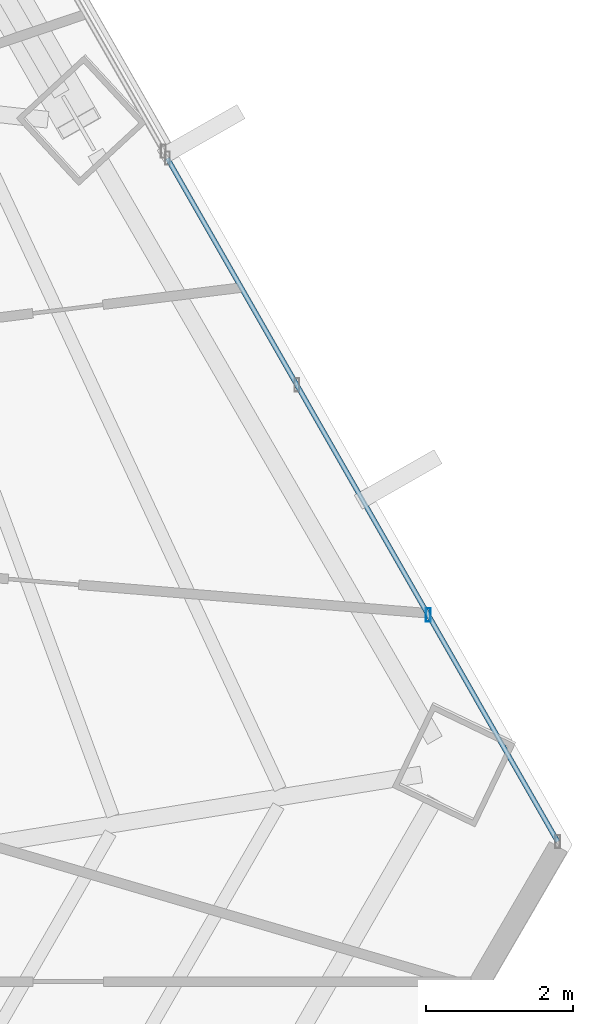
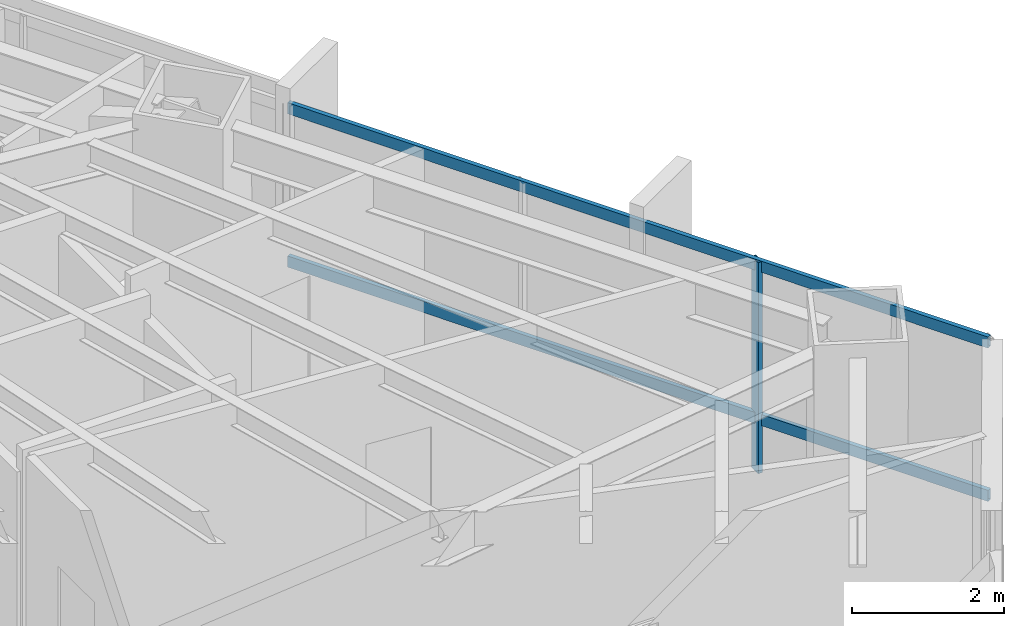
# One storey, part 25 of 38: 3 members, 1 element without a shape of its own.
"""IFC4 building model written with IfcOpenShell, lengths in metres."""

from ifc_helpers import new_model, si_unit, direction, frame, origin, origin_2d, place, context, subcontext, project, spatial, hollow_rectangle, extrude, source, transform, mapped, material, material_profile, profile_set, type_object, type_shapes, element, aggregate, save


model = new_model("IFC4")

# Units and contexts
model_context = context("Model", 3, precision=1e-05, world=origin(), true_north=direction((0.0, 1.0)))
body_context = subcontext(model_context, "Body", "Model", "MODEL_VIEW")
ifc_project = project(units=[si_unit("LENGTHUNIT", "METRE"), si_unit("AREAUNIT", "SQUARE_METRE"), si_unit("VOLUMEUNIT", "CUBIC_METRE"), si_unit("PLANEANGLEUNIT", "RADIAN"), si_unit("MASSUNIT", "GRAM", prefix="KILO")], contexts=[model_context])

# Site, building, storey
site_placement = place(None, origin())
site = spatial("IfcSite", under=ifc_project, at=site_placement, CompositionType="ELEMENT")
building_placement = place(site_placement, origin())
building = spatial("IfcBuilding", under=site, at=building_placement, Name="Caelisora Broadcast Tower", CompositionType="ELEMENT")
storey_placement = place(building_placement, frame((0.0, 0.0, 67.75)))
storey = spatial("IfcBuildingStorey", under=building, at=storey_placement, Name="L17", CompositionType="ELEMENT", Elevation=67.75)

# Curtain wall, members
ifc_material_1 = material(Name="Unitised Aluminium and Low-E Glass Curtain Wall", Category="glass")
curtain_wall_type = type_object("IfcCurtainWallType", Name="CW-Z1", PredefinedType="NOTDEFINED", material=ifc_material_1)
curtain_wall_placement = place(storey_placement, origin())
curtain_wall = element("IfcCurtainWall", 1, at=curtain_wall_placement, inside=storey, type_object=curtain_wall_type, Name="L17 curtain wall CW-Z1", PredefinedType="NOTDEFINED")
ifc_material_2 = material(Name="Aluminium 6063-T6 Anodised Terracotta Bronze", Category="aluminium")
ifc_material_profile_1 = material_profile(ifc_material_2, hollow_rectangle(XDim=0.06494140625, YDim=0.179931640625, WallThickness=0.00341796875, at=origin_2d()), Name="Aluminium 6063-T6 Anodised Terracotta Bronze")
ifc_profile_set_1 = profile_set([ifc_material_profile_1], Name="Aluminium 6063-T6 Anodised Terracotta Bronze")
member_type_1 = type_object("IfcMemberType", Name="CWM-02", PredefinedType="MULLION", material=ifc_profile_set_1)
shared_shape_1 = source(origin(), body_context, "Body", "SweptSolid", [
    extrude(hollow_rectangle(XDim=0.06494140625, YDim=0.179931640625, WallThickness=0.00341796875, at=origin_2d()), origin(), (0.0, 0.0, 1.0), 3.39990234375),
])
type_shapes(member_type_1, [shared_shape_1])
member_1_placement = place(storey_placement, frame((61.167236328125, 22.085205078125, 0.0), z_axis=(0.0, 0.0, 1.0), x_axis=(1.0, 0.0, 0.0)))
member_1 = element("IfcMember", 2, at=member_1_placement, type_object=member_type_1, Name="L17-CW-B03 mullion #2", PredefinedType="MULLION", context=body_context, shape_type="MappedRepresentation", body=[
    mapped(shared_shape_1, transform((0.0, 0.0, 0.0), scale=1.0)),
])
ifc_material_profile_2 = material_profile(ifc_material_2, hollow_rectangle(XDim=0.06494140625, YDim=0.179931640625, WallThickness=0.00341796875, at=origin_2d()), Name="Aluminium 6063-T6 Anodised Terracotta Bronze")
ifc_profile_set_2 = profile_set([ifc_material_profile_2], Name="Aluminium 6063-T6 Anodised Terracotta Bronze")
member_type_2 = type_object("IfcMemberType", Name="CWT-01", PredefinedType="USERDEFINED", material=ifc_profile_set_2)
shared_shape_2 = source(origin(), body_context, "Body", "SweptSolid", [
    extrude(hollow_rectangle(XDim=0.06494140625, YDim=0.179931640625, WallThickness=0.00341796875, at=origin_2d()), origin(), (0.0, 0.0, 1.0), 10.701171875),
])
type_shapes(member_type_2, [shared_shape_2])
member_2_placement = place(storey_placement, frame((57.62060546875, 28.294677734375, 0.85009765625), z_axis=(0.495981687424, -0.868332980912, 0.0), x_axis=(0.868332980912, 0.495981687424, 0.0)))
member_2 = element("IfcMember", 3, at=member_2_placement, type_object=member_type_2, Name="L17-CW-B03 transom #1", ObjectType="TRANSOM", PredefinedType="USERDEFINED", context=body_context, shape_type="MappedRepresentation", body=[
    mapped(shared_shape_2, transform((0.0, 0.0, 0.0), scale=1.0)),
])
member_3_placement = place(storey_placement, frame((57.62060546875, 28.294677734375, 3.320068359375), z_axis=(0.495981687424, -0.868332980912, 0.0), x_axis=(0.868332980912, 0.495981687424, 0.0)))
member_3 = element("IfcMember", 4, at=member_3_placement, type_object=member_type_2, Name="L17-CW-B03 transom #2", ObjectType="TRANSOM", PredefinedType="USERDEFINED", context=body_context, shape_type="MappedRepresentation", body=[
    mapped(shared_shape_2, transform((0.0, 0.0, 0.0), scale=1.0)),
])
aggregate(curtain_wall, [member_1, member_2, member_3])

save(model, "model.ifc")
